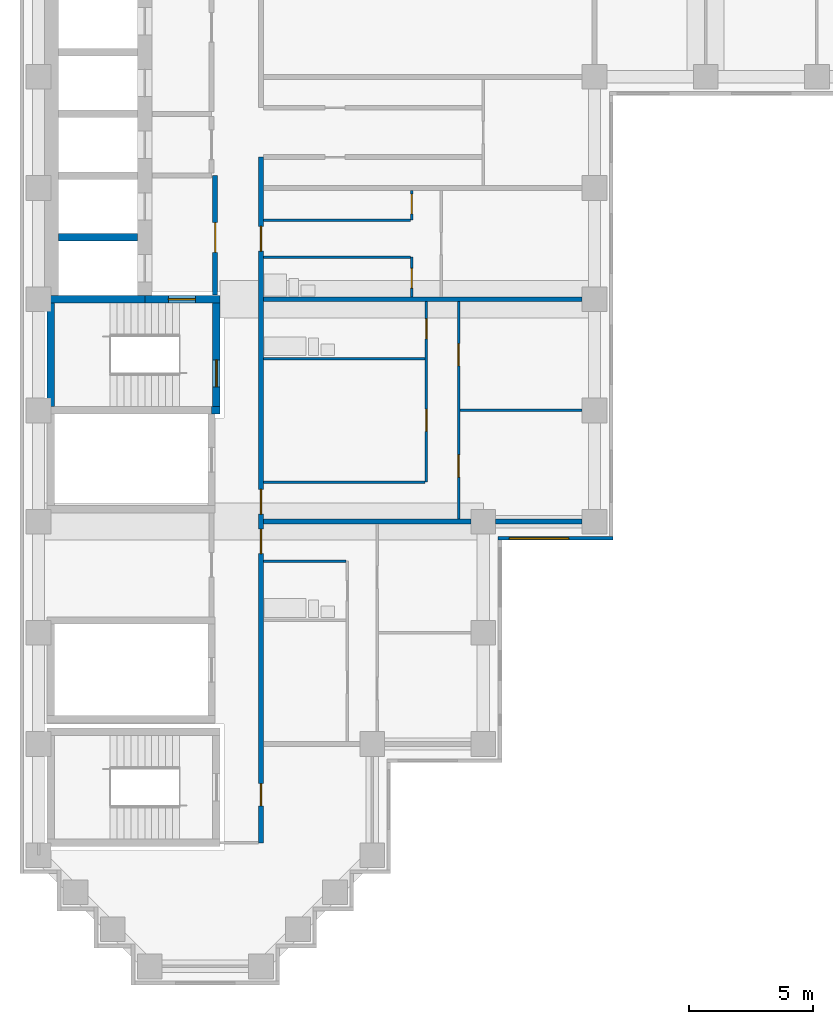
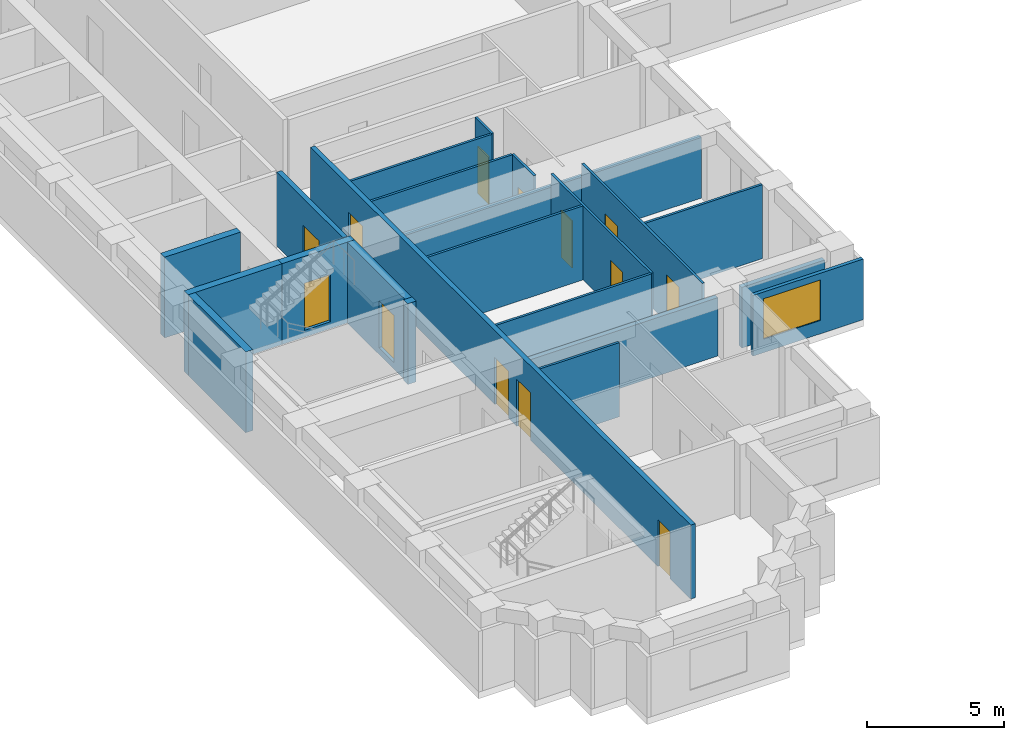
# One storey, part 3 of 11: 22 walls, 13 doors, 1 window, 14 openings.
"""IFC4 building model written with IfcOpenShell, lengths in metres."""

from ifc_helpers import new_model, si_unit, direction, frame, frame_2d, origin, place, context, subcontext, project, spatial, rectangle, extrude, material, layer, layer_set, type_object, element, fill, save


model = new_model("IFC4")

# Units and contexts
model_context = context("Model", 3, precision=1e-05, world=origin(), true_north=direction((0.0, 1.0)))
body_context = subcontext(model_context, "Body", "Model", "MODEL_VIEW")
ifc_project = project(units=[si_unit("LENGTHUNIT", "METRE"), si_unit("AREAUNIT", "SQUARE_METRE"), si_unit("VOLUMEUNIT", "CUBIC_METRE"), si_unit("PLANEANGLEUNIT", "RADIAN"), si_unit("MASSUNIT", "GRAM", prefix="KILO")], contexts=[model_context])

# Site, building, storey
site_placement = place(None, origin())
site = spatial("IfcSite", under=ifc_project, at=site_placement, CompositionType="ELEMENT")
building_placement = place(site_placement, origin())
building = spatial("IfcBuilding", under=site, at=building_placement, Name="Firuza Court", CompositionType="ELEMENT")
storey_placement = place(building_placement, frame((0.0, 0.0, 134.0)))
storey = spatial("IfcBuildingStorey", under=building, at=storey_placement, Name="L33", CompositionType="ELEMENT", Elevation=134.0)

# Walls
ifc_material_1 = material(Name="Moisture-resistant gypsum board partition")
ifc_layer_1 = layer(ifc_material_1, 0.10009765625)
ifc_layer_set_1 = layer_set([ifc_layer_1], Name="Moisture-resistant gypsum board partition")
wall_type_1 = type_object("IfcWallType", Name="Bathroom partition 100", PredefinedType="PLUMBINGWALL", material=ifc_layer_set_1)
wall_1_placement = place(storey_placement, frame((9.10009765625, 16.39990234375, 0.0), z_axis=(0.0, 0.0, 1.0), x_axis=(1.0, 0.0, 0.0)))
element("IfcWall", 1, at=wall_1_placement, inside=storey, type_object=wall_type_1, Name="Bathroom partition 100 L33", PredefinedType="PLUMBINGWALL", context=body_context, shape_type="SweptSolid", body=[
    extrude(rectangle(XDim=3.349853515625, YDim=0.10009765625, at=frame_2d((1.6748046875, 0.0))), origin(), (0.0, 0.0, 1.0), 3.300048828125),
])
wall_2_placement = place(storey_placement, frame((9.10009765625, 24.60009765625, 0.0), z_axis=(0.0, 0.0, 1.0), x_axis=(1.0, 0.0, 0.0)))
element("IfcWall", 2, at=wall_2_placement, inside=storey, type_object=wall_type_1, Name="Bathroom partition 100 L33", PredefinedType="PLUMBINGWALL", context=body_context, shape_type="SweptSolid", body=[
    extrude(rectangle(XDim=6.5498046875, YDim=0.10009765625, at=frame_2d((3.27490234375, 0.0))), origin(), (0.0, 0.0, 1.0), 3.300048828125),
])
wall_3_placement = place(storey_placement, frame((9.10009765625, 28.699951171875, 0.0), z_axis=(0.0, 0.0, 1.0), x_axis=(1.0, 0.0, 0.0)))
element("IfcWall", 3, at=wall_3_placement, inside=storey, type_object=wall_type_1, Name="Bathroom partition 100 L33", PredefinedType="PLUMBINGWALL", context=body_context, shape_type="SweptSolid", body=[
    extrude(rectangle(XDim=5.949951171875, YDim=0.10009765625, at=frame_2d((2.97509765625, 0.0))), origin(), (0.0, 0.0, 1.0), 3.300048828125),
])
ifc_material_2 = material(Name="Concrete C60/75", Category="concrete")
ifc_layer_2 = layer(ifc_material_2, 0.300048828125)
ifc_layer_set_2 = layer_set([ifc_layer_2], Name="Concrete C60/75")
wall_type_2 = type_object("IfcWallType", Name="Core wall 300 C60/75", PredefinedType="SHEAR", material=ifc_layer_set_2)
wall_4_placement = place(storey_placement, frame((0.35009765625, 27.0, -0.300048828125), z_axis=(0.0, 0.0, 1.0), x_axis=(1.0, 0.0, 0.0)))
element("IfcWall", 4, at=wall_4_placement, inside=storey, type_object=wall_type_2, Name="Core wall lift shaft L33", PredefinedType="SHEAR", context=body_context, shape_type="SweptSolid", body=[
    extrude(rectangle(XDim=3.949951171875, YDim=0.300048828125, at=frame_2d((1.97509765625, 0.0))), origin(), (0.0, 0.0, 1.0), 3.60009765625),
])
wall_5_placement = place(storey_placement, frame((0.5, 22.64990234375, -0.300048828125), z_axis=(0.0, 0.0, 1.0), x_axis=(0.0, 1.0, 0.0)))
element("IfcWall", 5, at=wall_5_placement, inside=storey, type_object=wall_type_2, Name="Core wall stair L33", PredefinedType="SHEAR", context=body_context, shape_type="SweptSolid", body=[
    extrude(rectangle(XDim=4.2001953125, YDim=0.300048828125, at=frame_2d((2.10009765625, 0.0))), origin(), (0.0, 0.0, 1.0), 3.60009765625),
])
wall_6_placement = place(storey_placement, frame((0.800048828125, 29.5, -0.300048828125), z_axis=(0.0, 0.0, 1.0), x_axis=(1.0, 0.0, 0.0)))
element("IfcWall", 6, at=wall_6_placement, inside=storey, type_object=wall_type_2, Name="Core wall lift shaft L33", PredefinedType="SHEAR", context=body_context, shape_type="SweptSolid", body=[
    extrude(rectangle(XDim=3.199951171875, YDim=0.300048828125, at=frame_2d((1.60009765625, 0.0))), origin(), (0.0, 0.0, 1.0), 3.60009765625),
])

# Wall, opening, door
wall_7_placement = place(storey_placement, frame((4.300048828125, 27.0, -0.300048828125), z_axis=(0.0, 0.0, 1.0), x_axis=(1.0, 0.0, 0.0)))
wall_7 = element("IfcWall", 7, at=wall_7_placement, inside=storey, type_object=wall_type_2, Name="Core wall stair L33", PredefinedType="SHEAR", context=body_context, shape_type="SweptSolid", body=[
    extrude(rectangle(XDim=3.050048828125, YDim=0.300048828125, at=frame_2d((1.52490234375, 0.0))), origin(), (0.0, 0.0, 1.0), 3.60009765625),
])
opening_1_placement = place(wall_7_placement, frame((0.949951171875, 0.0, 0.300048828125)))
opening_1 = element("IfcOpeningElement", 8, at=opening_1_placement, cuts=wall_7, Name="Opening D33013", PredefinedType="OPENING", context=body_context, shape_type="SweptSolid", body=[
    extrude(rectangle(XDim=1.10009765625, YDim=2.10009765625, at=frame_2d((0.550048828125, 1.050048828125))), frame((0.0, 0.162109375, 0.0), z_axis=(0.0, -1.0, 0.0), x_axis=(1.0, 0.0, 0.0)), (0.0, 0.0, 1.0), 0.323974609375),
])
ifc_material_3 = material(Name="Timber door leaf in hardwood frame", Category="wood")
door_type_1 = type_object("IfcDoorType", Name="Stair door 1100", OperationType="SINGLE_SWING_LEFT", PredefinedType="DOOR", material=ifc_material_3)
door_1_placement = place(opening_1_placement, frame((1.10009765625, 0.0, 0.0), z_axis=(0.0, 0.0, 1.0), x_axis=(-1.0, 0.0, 0.0)))
door_1 = element("IfcDoor", 9, at=door_1_placement, inside=storey, type_object=door_type_1, Name="Fire-fighting lobby door", OperationType="SINGLE_SWING_LEFT", OverallHeight=2.10009765625, OverallWidth=1.10009765625, PredefinedType="DOOR", context=body_context, shape_type="SweptSolid", body=[
    extrude(rectangle(XDim=1.10009765625, YDim=2.10009765625, at=frame_2d((0.550048828125, 1.050048828125))), frame((0.0, 0.02490234375, 0.0), z_axis=(0.0, -1.0, 0.0), x_axis=(1.0, 0.0, 0.0)), (0.0, 0.0, 1.0), 0.050048828125),
])
fill(opening_1, door_1)

# Wall
wall_8_placement = place(storey_placement, frame((7.0, 22.5, -0.300048828125), z_axis=(0.0, 0.0, 1.0), x_axis=(1.0, 0.0, 0.0)))
element("IfcWall", 10, at=wall_8_placement, inside=storey, type_object=wall_type_2, Name="Core wall stair L33", PredefinedType="SHEAR", context=body_context, shape_type="SweptSolid", body=[
    extrude(rectangle(XDim=0.35009765625, YDim=0.300048828125, at=frame_2d((0.175048828125, 0.0))), origin(), (0.0, 0.0, 1.0), 3.60009765625),
])

# Wall, opening, door
wall_9_placement = place(storey_placement, frame((7.199951171875, 22.64990234375, -0.300048828125), z_axis=(0.0, 0.0, 1.0), x_axis=(0.0, 1.0, 0.0)))
wall_9 = element("IfcWall", 11, at=wall_9_placement, inside=storey, type_object=wall_type_2, Name="Core wall stair L33", PredefinedType="SHEAR", context=body_context, shape_type="SweptSolid", body=[
    extrude(rectangle(XDim=4.2001953125, YDim=0.300048828125, at=frame_2d((2.10009765625, 0.0))), origin(), (0.0, 0.0, 1.0), 3.60009765625),
])
opening_2_placement = place(wall_9_placement, frame((0.800048828125, 0.0, 0.300048828125)))
opening_2 = element("IfcOpeningElement", 12, at=opening_2_placement, cuts=wall_9, Name="Opening D33014", PredefinedType="OPENING", context=body_context, shape_type="SweptSolid", body=[
    extrude(rectangle(XDim=1.10009765625, YDim=2.10009765625, at=frame_2d((0.550048828125, 1.050048828125))), frame((0.0, 0.162109375, 0.0), z_axis=(0.0, -1.0, 0.0), x_axis=(1.0, 0.0, 0.0)), (0.0, 0.0, 1.0), 0.323974609375),
])
door_2_placement = place(opening_2_placement, origin())
door_2 = element("IfcDoor", 13, at=door_2_placement, inside=storey, type_object=door_type_1, Name="Stair door S2", OperationType="SINGLE_SWING_LEFT", OverallHeight=2.10009765625, OverallWidth=1.10009765625, PredefinedType="DOOR", context=body_context, shape_type="SweptSolid", body=[
    extrude(rectangle(XDim=1.10009765625, YDim=2.10009765625, at=frame_2d((0.550048828125, 1.050048828125))), frame((0.0, 0.02490234375, 0.0), z_axis=(0.0, -1.0, 0.0), x_axis=(1.0, 0.0, 0.0)), (0.0, 0.0, 1.0), 0.050048828125),
])
fill(opening_2, door_2)

# Wall, openings, doors
ifc_material_4 = material(Name="Blockwork, plastered both sides", Category="masonry")
ifc_layer_3 = layer(ifc_material_4, 0.199951171875)
ifc_layer_set_3 = layer_set([ifc_layer_3], Name="Blockwork, plastered both sides")
wall_type_3 = type_object("IfcWallType", Name="Corridor wall 200", PredefinedType="PARTITIONING", material=ifc_layer_set_3)
wall_10_placement = place(storey_placement, frame((9.0, 5.0, 0.0), z_axis=(0.0, 0.0, 1.0), x_axis=(0.0, 1.0, 0.0)))
wall_10 = element("IfcWall", 14, at=wall_10_placement, inside=storey, type_object=wall_type_3, Name="Corridor wall 200 L33", PredefinedType="PARTITIONING", context=body_context, shape_type="SweptSolid", body=[
    extrude(rectangle(XDim=27.75, YDim=0.199951171875, at=frame_2d((13.875, 0.0))), origin(), (0.0, 0.0, 1.0), 3.300048828125),
])
opening_3_placement = place(wall_10_placement, frame((23.949951171875, 0.0, 0.0)))
opening_3 = element("IfcOpeningElement", 15, at=opening_3_placement, cuts=wall_10, Name="Opening D33018", PredefinedType="OPENING", context=body_context, shape_type="SweptSolid", body=[
    extrude(rectangle(XDim=1.0, YDim=2.10009765625, at=frame_2d((0.5, 1.050048828125))), frame((0.0, 0.11181640625, 0.0), z_axis=(0.0, -1.0, 0.0), x_axis=(1.0, 0.0, 0.0)), (0.0, 0.0, 1.0), 0.223876953125),
])
opening_4_placement = place(wall_10_placement, frame((13.300048828125, 0.0, 0.0)))
opening_4 = element("IfcOpeningElement", 16, at=opening_4_placement, cuts=wall_10, Name="Opening D33019", PredefinedType="OPENING", context=body_context, shape_type="SweptSolid", body=[
    extrude(rectangle(XDim=1.0, YDim=2.10009765625, at=frame_2d((0.5, 1.050048828125))), frame((0.0, 0.11181640625, 0.0), z_axis=(0.0, -1.0, 0.0), x_axis=(1.0, 0.0, 0.0)), (0.0, 0.0, 1.0), 0.223876953125),
])
opening_5_placement = place(wall_10_placement, frame((11.699951171875, 0.0, 0.0)))
opening_5 = element("IfcOpeningElement", 17, at=opening_5_placement, cuts=wall_10, Name="Opening D33020", PredefinedType="OPENING", context=body_context, shape_type="SweptSolid", body=[
    extrude(rectangle(XDim=1.0, YDim=2.10009765625, at=frame_2d((0.5, 1.050048828125))), frame((0.0, 0.11181640625, 0.0), z_axis=(0.0, -1.0, 0.0), x_axis=(1.0, 0.0, 0.0)), (0.0, 0.0, 1.0), 0.223876953125),
])
opening_6_placement = place(wall_10_placement, frame((1.5, 0.0, 0.0)))
opening_6 = element("IfcOpeningElement", 18, at=opening_6_placement, cuts=wall_10, Name="Opening D33021", PredefinedType="OPENING", context=body_context, shape_type="SweptSolid", body=[
    extrude(rectangle(XDim=0.89990234375, YDim=2.10009765625, at=frame_2d((0.449951171875, 1.050048828125))), frame((0.0, 0.11181640625, 0.0), z_axis=(0.0, -1.0, 0.0), x_axis=(1.0, 0.0, 0.0)), (0.0, 0.0, 1.0), 0.223876953125),
])
ifc_material_5 = material(Name="Timber door leaf in hardwood frame", Category="wood")
door_type_2 = type_object("IfcDoorType", Name="Flat entrance door 1000", OperationType="SINGLE_SWING_LEFT", PredefinedType="DOOR", material=ifc_material_5)
door_3_placement = place(opening_3_placement, origin())
door_3 = element("IfcDoor", 19, at=door_3_placement, inside=storey, type_object=door_type_2, Name="Flat entrance door", OperationType="SINGLE_SWING_LEFT", OverallHeight=2.10009765625, OverallWidth=1.0, PredefinedType="DOOR", context=body_context, shape_type="SweptSolid", body=[
    extrude(rectangle(XDim=1.0, YDim=2.10009765625, at=frame_2d((0.5, 1.050048828125))), frame((0.0, 0.02490234375, 0.0), z_axis=(0.0, -1.0, 0.0), x_axis=(1.0, 0.0, 0.0)), (0.0, 0.0, 1.0), 0.050048828125),
])
fill(opening_3, door_3)
door_4_placement = place(opening_4_placement, origin())
door_4 = element("IfcDoor", 20, at=door_4_placement, inside=storey, type_object=door_type_2, Name="Flat entrance door", OperationType="SINGLE_SWING_LEFT", OverallHeight=2.10009765625, OverallWidth=1.0, PredefinedType="DOOR", context=body_context, shape_type="SweptSolid", body=[
    extrude(rectangle(XDim=1.0, YDim=2.10009765625, at=frame_2d((0.5, 1.050048828125))), frame((0.0, 0.02490234375, 0.0), z_axis=(0.0, -1.0, 0.0), x_axis=(1.0, 0.0, 0.0)), (0.0, 0.0, 1.0), 0.050048828125),
])
fill(opening_4, door_4)
door_5_placement = place(opening_5_placement, origin())
door_5 = element("IfcDoor", 21, at=door_5_placement, inside=storey, type_object=door_type_2, Name="Flat entrance door", OperationType="SINGLE_SWING_LEFT", OverallHeight=2.10009765625, OverallWidth=1.0, PredefinedType="DOOR", context=body_context, shape_type="SweptSolid", body=[
    extrude(rectangle(XDim=1.0, YDim=2.10009765625, at=frame_2d((0.5, 1.050048828125))), frame((0.0, 0.02490234375, 0.0), z_axis=(0.0, -1.0, 0.0), x_axis=(1.0, 0.0, 0.0)), (0.0, 0.0, 1.0), 0.050048828125),
])
fill(opening_5, door_5)
ifc_material_6 = material(Name="Timber door leaf in hardwood frame", Category="wood")
door_type_3 = type_object("IfcDoorType", Name="Room door 900 EI 30", OperationType="SINGLE_SWING_LEFT", PredefinedType="DOOR", material=ifc_material_6)
door_6_placement = place(opening_6_placement, frame((0.89990234375, 0.0, 0.0), z_axis=(0.0, 0.0, 1.0), x_axis=(-1.0, 0.0, 0.0)))
door_6 = element("IfcDoor", 22, at=door_6_placement, inside=storey, type_object=door_type_3, Name="Library door", OperationType="SINGLE_SWING_LEFT", OverallHeight=2.10009765625, OverallWidth=0.89990234375, PredefinedType="DOOR", context=body_context, shape_type="SweptSolid", body=[
    extrude(rectangle(XDim=0.89990234375, YDim=2.10009765625, at=frame_2d((0.449951171875, 1.050048828125))), frame((0.0, 0.02490234375, 0.0), z_axis=(0.0, -1.0, 0.0), x_axis=(1.0, 0.0, 0.0)), (0.0, 0.0, 1.0), 0.050048828125),
])
fill(opening_6, door_6)

ifc_material_7 = material(Name="Timber stud partition, plasterboard both sides", Category="wood")
ifc_layer_4 = layer(ifc_material_7, 0.10009765625)
ifc_layer_set_4 = layer_set([ifc_layer_4], Name="Timber stud partition, plasterboard both sides")
wall_type_4 = type_object("IfcWallType", Name="Partition wall 100", PredefinedType="PARTITIONING", material=ifc_layer_set_4)
wall_11_placement = place(storey_placement, frame((17.0, 18.10009765625, 0.0), z_axis=(0.0, 0.0, 1.0), x_axis=(0.0, 1.0, 0.0)))
wall_11 = element("IfcWall", 23, at=wall_11_placement, inside=storey, type_object=wall_type_4, Name="Partition wall 100 L33", PredefinedType="PARTITIONING", context=body_context, shape_type="SweptSolid", body=[
    extrude(rectangle(XDim=8.7998046875, YDim=0.10009765625, at=frame_2d((4.39990234375, 0.0))), origin(), (0.0, 0.0, 1.0), 3.300048828125),
])
opening_7_placement = place(wall_11_placement, frame((1.699951171875, 0.0, 0.0)))
opening_7 = element("IfcOpeningElement", 24, at=opening_7_placement, cuts=wall_11, Name="Opening D33027", PredefinedType="OPENING", context=body_context, shape_type="SweptSolid", body=[
    extrude(rectangle(XDim=0.89990234375, YDim=2.10009765625, at=frame_2d((0.449951171875, 1.050048828125))), frame((0.0, 0.06201171875, 0.0), z_axis=(0.0, -1.0, 0.0), x_axis=(1.0, 0.0, 0.0)), (0.0, 0.0, 1.0), 0.1240234375),
])
opening_8_placement = place(wall_11_placement, frame((6.199951171875, 0.0, 0.0)))
opening_8 = element("IfcOpeningElement", 25, at=opening_8_placement, cuts=wall_11, Name="Opening D33028", PredefinedType="OPENING", context=body_context, shape_type="SweptSolid", body=[
    extrude(rectangle(XDim=0.89990234375, YDim=2.10009765625, at=frame_2d((0.449951171875, 1.050048828125))), frame((0.0, 0.06201171875, 0.0), z_axis=(0.0, -1.0, 0.0), x_axis=(1.0, 0.0, 0.0)), (0.0, 0.0, 1.0), 0.1240234375),
])
ifc_material_8 = material(Name="Timber door leaf in hardwood frame", Category="wood")
door_type_4 = type_object("IfcDoorType", Name="Room door 900", OperationType="SINGLE_SWING_LEFT", PredefinedType="DOOR", material=ifc_material_8)
door_7_placement = place(opening_7_placement, frame((0.89990234375, 0.0, 0.0), z_axis=(0.0, 0.0, 1.0), x_axis=(-1.0, 0.0, 0.0)))
door_7 = element("IfcDoor", 26, at=door_7_placement, inside=storey, type_object=door_type_4, Name="Bedroom door", OperationType="SINGLE_SWING_RIGHT", OverallHeight=2.10009765625, OverallWidth=0.89990234375, PredefinedType="DOOR", context=body_context, shape_type="SweptSolid", body=[
    extrude(rectangle(XDim=0.89990234375, YDim=2.10009765625, at=frame_2d((0.449951171875, 1.050048828125))), frame((0.0, 0.02490234375, 0.0), z_axis=(0.0, -1.0, 0.0), x_axis=(1.0, 0.0, 0.0)), (0.0, 0.0, 1.0), 0.050048828125),
])
fill(opening_7, door_7)
door_8_placement = place(opening_8_placement, frame((0.89990234375, 0.0, 0.0), z_axis=(0.0, 0.0, 1.0), x_axis=(-1.0, 0.0, 0.0)))
door_8 = element("IfcDoor", 27, at=door_8_placement, inside=storey, type_object=door_type_4, Name="Living room door", OperationType="SINGLE_SWING_RIGHT", OverallHeight=2.10009765625, OverallWidth=0.89990234375, PredefinedType="DOOR", context=body_context, shape_type="SweptSolid", body=[
    extrude(rectangle(XDim=0.89990234375, YDim=2.10009765625, at=frame_2d((0.449951171875, 1.050048828125))), frame((0.0, 0.02490234375, 0.0), z_axis=(0.0, -1.0, 0.0), x_axis=(1.0, 0.0, 0.0)), (0.0, 0.0, 1.0), 0.050048828125),
])
fill(opening_8, door_8)

# Wall
wall_12_placement = place(storey_placement, frame((9.10009765625, 19.60009765625, 0.0), z_axis=(0.0, 0.0, 1.0), x_axis=(1.0, 0.0, 0.0)))
element("IfcWall", 28, at=wall_12_placement, inside=storey, type_object=wall_type_4, Name="Partition wall 100 L33", PredefinedType="PARTITIONING", context=body_context, shape_type="SweptSolid", body=[
    extrude(rectangle(XDim=6.5498046875, YDim=0.10009765625, at=frame_2d((3.27490234375, 0.0))), origin(), (0.0, 0.0, 1.0), 3.300048828125),
])

# Wall, openings, doors
wall_13_placement = place(storey_placement, frame((15.699951171875, 19.60009765625, 0.0), z_axis=(0.0, 0.0, 1.0), x_axis=(0.0, 1.0, 0.0)))
wall_13 = element("IfcWall", 29, at=wall_13_placement, inside=storey, type_object=wall_type_4, Name="Partition wall 100 L33", PredefinedType="PARTITIONING", context=body_context, shape_type="SweptSolid", body=[
    extrude(rectangle(XDim=7.2998046875, YDim=0.10009765625, at=frame_2d((3.64990234375, 0.0))), origin(), (0.0, 0.0, 1.0), 3.300048828125),
])
opening_9_placement = place(wall_13_placement, frame((5.800048828125, 0.0, 0.0)))
opening_9 = element("IfcOpeningElement", 30, at=opening_9_placement, cuts=wall_13, Name="Opening D33029", PredefinedType="OPENING", context=body_context, shape_type="SweptSolid", body=[
    extrude(rectangle(XDim=0.800048828125, YDim=2.10009765625, at=frame_2d((0.39990234375, 1.050048828125))), frame((0.0, 0.06201171875, 0.0), z_axis=(0.0, -1.0, 0.0), x_axis=(1.0, 0.0, 0.0)), (0.0, 0.0, 1.0), 0.1240234375),
])
opening_10_placement = place(wall_13_placement, frame((2.050048828125, 0.0, 0.0)))
opening_10 = element("IfcOpeningElement", 31, at=opening_10_placement, cuts=wall_13, Name="Opening D33030", PredefinedType="OPENING", context=body_context, shape_type="SweptSolid", body=[
    extrude(rectangle(XDim=0.89990234375, YDim=2.10009765625, at=frame_2d((0.449951171875, 1.050048828125))), frame((0.0, 0.06201171875, 0.0), z_axis=(0.0, -1.0, 0.0), x_axis=(1.0, 0.0, 0.0)), (0.0, 0.0, 1.0), 0.1240234375),
])
ifc_material_9 = material(Name="Timber door leaf in hardwood frame", Category="wood")
door_type_5 = type_object("IfcDoorType", Name="Bathroom door 800", OperationType="SINGLE_SWING_LEFT", PredefinedType="DOOR", material=ifc_material_9)
door_9_placement = place(opening_9_placement, origin())
door_9 = element("IfcDoor", 32, at=door_9_placement, inside=storey, type_object=door_type_5, Name="Bathroom door", OperationType="SINGLE_SWING_LEFT", OverallHeight=2.10009765625, OverallWidth=0.800048828125, PredefinedType="DOOR", context=body_context, shape_type="SweptSolid", body=[
    extrude(rectangle(XDim=0.800048828125, YDim=2.10009765625, at=frame_2d((0.39990234375, 1.050048828125))), frame((0.0, 0.02490234375, 0.0), z_axis=(0.0, -1.0, 0.0), x_axis=(1.0, 0.0, 0.0)), (0.0, 0.0, 1.0), 0.050048828125),
])
fill(opening_9, door_9)
door_10_placement = place(opening_10_placement, origin())
door_10 = element("IfcDoor", 33, at=door_10_placement, inside=storey, type_object=door_type_4, Name="Kitchen door", OperationType="SINGLE_SWING_LEFT", OverallHeight=2.10009765625, OverallWidth=0.89990234375, PredefinedType="DOOR", context=body_context, shape_type="SweptSolid", body=[
    extrude(rectangle(XDim=0.89990234375, YDim=2.10009765625, at=frame_2d((0.449951171875, 1.050048828125))), frame((0.0, 0.02490234375, 0.0), z_axis=(0.0, -1.0, 0.0), x_axis=(1.0, 0.0, 0.0)), (0.0, 0.0, 1.0), 0.050048828125),
])
fill(opening_10, door_10)

# Wall
wall_14_placement = place(storey_placement, frame((17.050048828125, 22.5, 0.0), z_axis=(0.0, 0.0, 1.0), x_axis=(1.0, 0.0, 0.0)))
element("IfcWall", 34, at=wall_14_placement, inside=storey, type_object=wall_type_4, Name="Partition wall 100 L33", PredefinedType="PARTITIONING", context=body_context, shape_type="SweptSolid", body=[
    extrude(rectangle(XDim=4.949951171875, YDim=0.10009765625, at=frame_2d((2.47509765625, 0.0))), origin(), (0.0, 0.0, 1.0), 3.300048828125),
])

# Wall, opening, door
wall_15_placement = place(storey_placement, frame((15.10009765625, 27.10009765625, 0.0), z_axis=(0.0, 0.0, 1.0), x_axis=(0.0, 1.0, 0.0)))
wall_15 = element("IfcWall", 35, at=wall_15_placement, inside=storey, type_object=wall_type_4, Name="Partition wall 100 L33", PredefinedType="PARTITIONING", context=body_context, shape_type="SweptSolid", body=[
    extrude(rectangle(XDim=1.599853515625, YDim=0.10009765625, at=frame_2d((0.7998046875, 0.0))), origin(), (0.0, 0.0, 1.0), 3.300048828125),
])
opening_11_placement = place(wall_15_placement, frame((0.35009765625, 0.0, 0.0)))
opening_11 = element("IfcOpeningElement", 36, at=opening_11_placement, cuts=wall_15, Name="Opening D33031", PredefinedType="OPENING", context=body_context, shape_type="SweptSolid", body=[
    extrude(rectangle(XDim=0.800048828125, YDim=2.10009765625, at=frame_2d((0.39990234375, 1.050048828125))), frame((0.0, 0.06201171875, 0.0), z_axis=(0.0, -1.0, 0.0), x_axis=(1.0, 0.0, 0.0)), (0.0, 0.0, 1.0), 0.1240234375),
])
door_11_placement = place(opening_11_placement, origin())
door_11 = element("IfcDoor", 37, at=door_11_placement, inside=storey, type_object=door_type_5, Name="Bathroom door", OperationType="SINGLE_SWING_LEFT", OverallHeight=2.10009765625, OverallWidth=0.800048828125, PredefinedType="DOOR", context=body_context, shape_type="SweptSolid", body=[
    extrude(rectangle(XDim=0.800048828125, YDim=2.10009765625, at=frame_2d((0.39990234375, 1.050048828125))), frame((0.0, 0.02490234375, 0.0), z_axis=(0.0, -1.0, 0.0), x_axis=(1.0, 0.0, 0.0)), (0.0, 0.0, 1.0), 0.050048828125),
])
fill(opening_11, door_11)

# Wall
wall_16_placement = place(storey_placement, frame((9.10009765625, 30.199951171875, 0.0), z_axis=(0.0, 0.0, 1.0), x_axis=(1.0, 0.0, 0.0)))
element("IfcWall", 38, at=wall_16_placement, inside=storey, type_object=wall_type_4, Name="Partition wall 100 L33", PredefinedType="PARTITIONING", context=body_context, shape_type="SweptSolid", body=[
    extrude(rectangle(XDim=5.949951171875, YDim=0.10009765625, at=frame_2d((2.97509765625, 0.0))), origin(), (0.0, 0.0, 1.0), 3.300048828125),
])

# Wall, opening, door
wall_17_placement = place(storey_placement, frame((15.10009765625, 30.199951171875, 0.0), z_axis=(0.0, 0.0, 1.0), x_axis=(0.0, 1.0, 0.0)))
wall_17 = element("IfcWall", 39, at=wall_17_placement, inside=storey, type_object=wall_type_4, Name="Partition wall 100 L33", PredefinedType="PARTITIONING", context=body_context, shape_type="SweptSolid", body=[
    extrude(rectangle(XDim=1.199951171875, YDim=0.10009765625, at=frame_2d((0.60009765625, 0.0))), origin(), (0.0, 0.0, 1.0), 3.300048828125),
])
opening_12_placement = place(wall_17_placement, frame((0.25, 0.0, 0.0)))
opening_12 = element("IfcOpeningElement", 40, at=opening_12_placement, cuts=wall_17, Name="Opening D33033", PredefinedType="OPENING", context=body_context, shape_type="SweptSolid", body=[
    extrude(rectangle(XDim=0.800048828125, YDim=2.10009765625, at=frame_2d((0.39990234375, 1.050048828125))), frame((0.0, 0.06201171875, 0.0), z_axis=(0.0, -1.0, 0.0), x_axis=(1.0, 0.0, 0.0)), (0.0, 0.0, 1.0), 0.1240234375),
])
ifc_material_10 = material(Name="Timber door leaf in hardwood frame", Category="wood")
door_type_6 = type_object("IfcDoorType", Name="Room door 800", OperationType="SINGLE_SWING_LEFT", PredefinedType="DOOR", material=ifc_material_10)
door_12_placement = place(opening_12_placement, origin())
door_12 = element("IfcDoor", 41, at=door_12_placement, inside=storey, type_object=door_type_6, Name="Kitchen door", OperationType="SINGLE_SWING_LEFT", OverallHeight=2.10009765625, OverallWidth=0.800048828125, PredefinedType="DOOR", context=body_context, shape_type="SweptSolid", body=[
    extrude(rectangle(XDim=0.800048828125, YDim=2.10009765625, at=frame_2d((0.39990234375, 1.050048828125))), frame((0.0, 0.02490234375, 0.0), z_axis=(0.0, -1.0, 0.0), x_axis=(1.0, 0.0, 0.0)), (0.0, 0.0, 1.0), 0.050048828125),
])
fill(opening_12, door_12)

# Walls
ifc_layer_5 = layer(ifc_material_4, 0.199951171875)
ifc_layer_set_5 = layer_set([ifc_layer_5], Name="Blockwork, plastered both sides")
wall_type_5 = type_object("IfcWallType", Name="Party wall 200", PredefinedType="PARTITIONING", material=ifc_layer_set_5)
wall_18_placement = place(storey_placement, frame((9.10009765625, 18.0, 0.0), z_axis=(0.0, 0.0, 1.0), x_axis=(1.0, 0.0, 0.0)))
element("IfcWall", 42, at=wall_18_placement, inside=storey, type_object=wall_type_5, Name="Party wall 200 L33", PredefinedType="PARTITIONING", context=body_context, shape_type="SweptSolid", body=[
    extrude(rectangle(XDim=8.39990234375, YDim=0.199951171875, at=frame_2d((4.199951171875, 0.0))), origin(), (0.0, 0.0, 1.0), 2.60009765625),
])
wall_19_placement = place(storey_placement, frame((18.5, 18.0, 0.0), z_axis=(0.0, 0.0, 1.0), x_axis=(1.0, 0.0, 0.0)))
element("IfcWall", 43, at=wall_19_placement, inside=storey, type_object=wall_type_5, Name="Party wall 200 L33", PredefinedType="PARTITIONING", context=body_context, shape_type="SweptSolid", body=[
    extrude(rectangle(XDim=3.5, YDim=0.199951171875, at=frame_2d((1.75, 0.0))), origin(), (0.0, 0.0, 1.0), 2.699951171875),
])
wall_20_placement = place(storey_placement, frame((9.10009765625, 27.0, 0.0), z_axis=(0.0, 0.0, 1.0), x_axis=(1.0, 0.0, 0.0)))
element("IfcWall", 44, at=wall_20_placement, inside=storey, type_object=wall_type_5, Name="Party wall 200 L33", PredefinedType="PARTITIONING", context=body_context, shape_type="SweptSolid", body=[
    extrude(rectangle(XDim=12.89990234375, YDim=0.199951171875, at=frame_2d((6.449951171875, 0.0))), origin(), (0.0, 0.0, 1.0), 2.699951171875),
])

# Wall, opening, window
ifc_material_11 = material(Name="Ceramic tile", Category="ceramic")
ifc_layer_6 = layer(ifc_material_11, 0.02001953125)
ifc_material_12 = material(Name="Mineral wool insulation", Category="insulation")
ifc_layer_7 = layer(ifc_material_12, 0.050048828125)
ifc_material_13 = material(Name="Concrete C40/50 precast", Category="concrete")
ifc_layer_8 = layer(ifc_material_13, 0.080078125)
ifc_layer_set_6 = layer_set([ifc_layer_6, ifc_layer_7, ifc_layer_8], Name="Concrete C40/50 precast")
wall_type_6 = type_object("IfcWallType", Name="Precast cladding wall with turquoise TILE PANEL face 150", PredefinedType="STANDARD", material=ifc_layer_set_6)
wall_21_placement = place(storey_placement, frame((18.60009765625, 17.324951171875, 0.0), z_axis=(0.0, 0.0, 1.0), x_axis=(1.0, 0.0, 0.0)))
wall_21 = element("IfcWall", 45, at=wall_21_placement, inside=storey, type_object=wall_type_6, Name="Facade wall L33 S", PredefinedType="STANDARD", context=body_context, shape_type="SweptSolid", body=[
    extrude(rectangle(XDim=4.64990234375, YDim=0.14990234375, at=frame_2d((2.324951171875, 0.0))), origin(), (0.0, 0.0, 1.0), 2.699951171875),
])
opening_13_placement = place(wall_21_placement, frame((0.449951171875, 0.0, 0.60009765625)))
opening_13 = element("IfcOpeningElement", 46, at=opening_13_placement, cuts=wall_21, Name="Opening W1", PredefinedType="OPENING", context=body_context, shape_type="SweptSolid", body=[
    extrude(rectangle(XDim=2.39990234375, YDim=1.800048828125, at=frame_2d((1.199951171875, 0.89990234375))), frame((0.0, 0.0869140625, 0.0), z_axis=(0.0, -1.0, 0.0), x_axis=(1.0, 0.0, 0.0)), (0.0, 0.0, 1.0), 0.173828125),
])
ifc_material_14 = material(Name="Aluminium frame, triple clear glazing", Category="aluminium")
window_type = type_object("IfcWindowType", Name="Window W1 2400 x 1800", PartitioningType="SINGLE_PANEL", PredefinedType="WINDOW", material=ifc_material_14)
window_placement = place(opening_13_placement, origin())
window = element("IfcWindow", 47, at=window_placement, inside=storey, type_object=window_type, Name="Window L33", OverallHeight=1.800048828125, OverallWidth=2.39990234375, PartitioningType="SINGLE_PANEL", PredefinedType="WINDOW", context=body_context, shape_type="SweptSolid", body=[
    extrude(rectangle(XDim=2.39990234375, YDim=1.800048828125, at=frame_2d((1.199951171875, 0.89990234375))), frame((0.0, 0.030029296875, 0.0), z_axis=(0.0, -1.0, 0.0), x_axis=(1.0, 0.0, 0.0)), (0.0, 0.0, 1.0), 0.06005859375),
])
fill(opening_13, window)

# Wall, opening, door
ifc_material_15 = material(Name="Blockwork, fire-rated", Category="masonry")
ifc_layer_9 = layer(ifc_material_15, 0.199951171875)
ifc_layer_set_7 = layer_set([ifc_layer_9], Name="Blockwork, fire-rated")
wall_type_7 = type_object("IfcWallType", Name="Shaft wall 200", PredefinedType="PARTITIONING", material=ifc_layer_set_7)
wall_22_placement = place(storey_placement, frame((7.14990234375, 27.169921875, 0.0), z_axis=(0.0, 0.0, 1.0), x_axis=(0.0, 1.0, 0.0)))
wall_22 = element("IfcWall", 48, at=wall_22_placement, inside=storey, type_object=wall_type_7, Name="Shaft wall 200 L33", PredefinedType="PARTITIONING", context=body_context, shape_type="SweptSolid", body=[
    extrude(rectangle(XDim=4.830078125, YDim=0.199951171875, at=frame_2d((2.4150390625, 0.0))), origin(), (0.0, 0.0, 1.0), 3.300048828125),
])
opening_14_placement = place(wall_22_placement, frame((1.72998046875, 0.0, 0.0)))
opening_14 = element("IfcOpeningElement", 49, at=opening_14_placement, cuts=wall_22, Name="Opening D33002", PredefinedType="OPENING", context=body_context, shape_type="SweptSolid", body=[
    extrude(rectangle(XDim=1.199951171875, YDim=2.10009765625, at=frame_2d((0.60009765625, 1.050048828125))), frame((0.0, 0.11181640625, 0.0), z_axis=(0.0, -1.0, 0.0), x_axis=(1.0, 0.0, 0.0)), (0.0, 0.0, 1.0), 0.223876953125),
])
ifc_material_16 = material(Name="Timber door leaf in hardwood frame", Category="wood")
door_type_7 = type_object("IfcDoorType", Name="Lobby door 1200", OperationType="SINGLE_SWING_LEFT", PredefinedType="DOOR", material=ifc_material_16)
door_13_placement = place(opening_14_placement, origin())
door_13 = element("IfcDoor", 50, at=door_13_placement, inside=storey, type_object=door_type_7, Name="Fire-fighting lobby door", OperationType="SINGLE_SWING_LEFT", OverallHeight=2.10009765625, OverallWidth=1.199951171875, PredefinedType="DOOR", context=body_context, shape_type="SweptSolid", body=[
    extrude(rectangle(XDim=1.199951171875, YDim=2.10009765625, at=frame_2d((0.60009765625, 1.050048828125))), frame((0.0, 0.02490234375, 0.0), z_axis=(0.0, -1.0, 0.0), x_axis=(1.0, 0.0, 0.0)), (0.0, 0.0, 1.0), 0.050048828125),
])
fill(opening_14, door_13)

save(model, "model.ifc")
